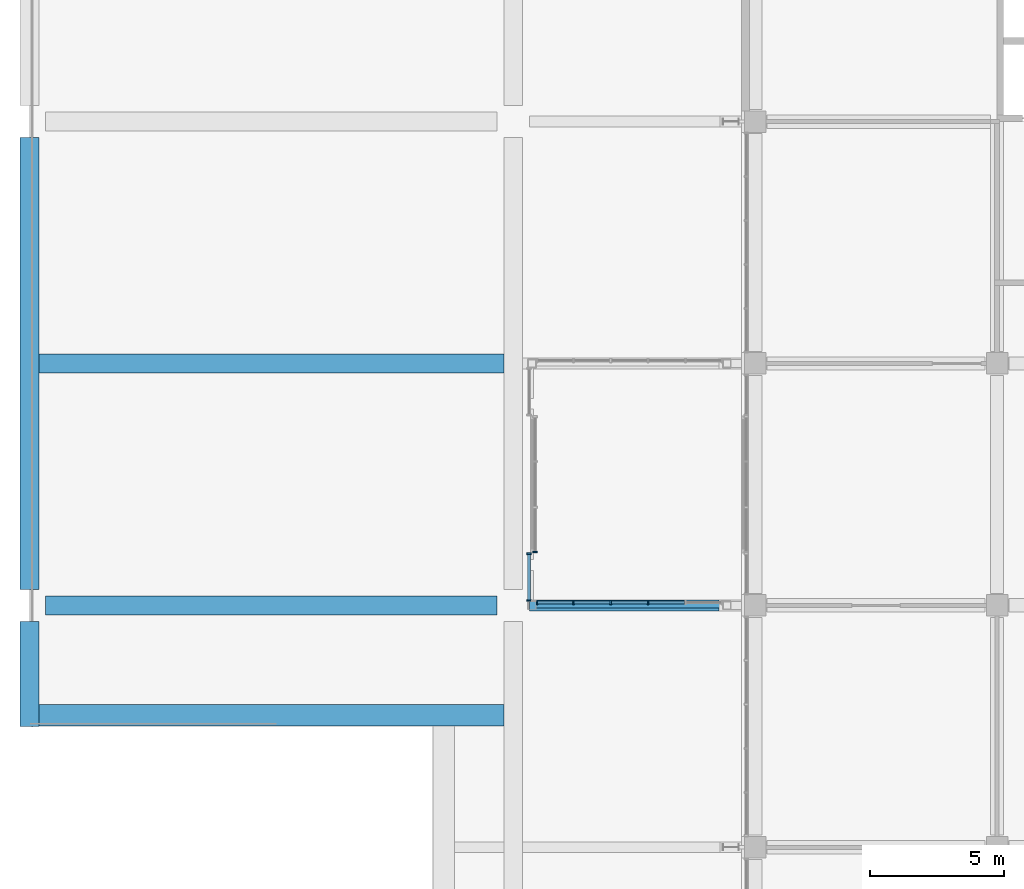
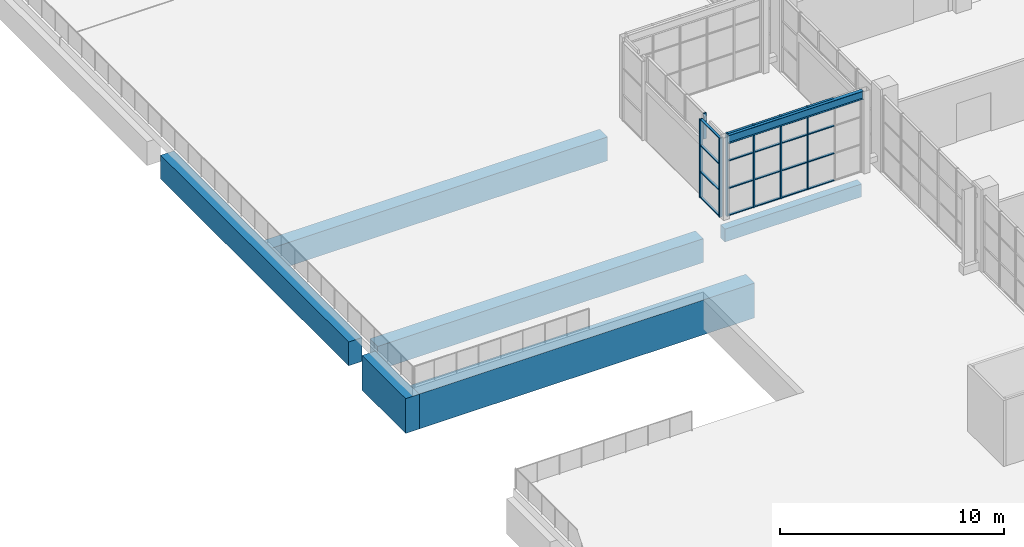
# One storey, part 23 of 168: 27 members, 7 beams, 3 elements without a shape of their own.
"""IFC4 building model written with IfcOpenShell, lengths in metres."""

from ifc_helpers import new_model, si_unit, direction, frame, origin, origin_2d, place, context, subcontext, project, spatial, rectangle, i_section, extrude, material, material_profile, profile_set, type_object, element, aggregate, save


model = new_model("IFC4")

# Units and contexts
model_context = context("Model", 3, precision=1e-05, world=origin(), true_north=direction((0.0, 1.0)))
body_context = subcontext(model_context, "Body", "Model", "MODEL_VIEW")
ifc_project = project(units=[si_unit("LENGTHUNIT", "METRE"), si_unit("AREAUNIT", "SQUARE_METRE"), si_unit("VOLUMEUNIT", "CUBIC_METRE"), si_unit("PLANEANGLEUNIT", "RADIAN"), si_unit("MASSUNIT", "GRAM", prefix="KILO")], contexts=[model_context])

# Site, building, storey
site_placement = place(None, origin())
site = spatial("IfcSite", under=ifc_project, at=site_placement, CompositionType="ELEMENT")
building_placement = place(site_placement, origin())
building = spatial("IfcBuilding", under=site, at=building_placement, Name="Silverbay Arena", CompositionType="ELEMENT")
storey_placement = place(building_placement, frame((0.0, 0.0, 7.0)))
storey = spatial("IfcBuildingStorey", under=building, at=storey_placement, Name="L01", CompositionType="ELEMENT", Elevation=7.0)

# Beam
ifc_material_1 = material(Name="Steel S355", Category="steel")
ifc_material_profile_1 = material_profile(ifc_material_1, i_section(OverallWidth=0.18994140625, OverallDepth=0.453369140625, WebThickness=0.008544921875, FlangeThickness=0.0126953125, at=origin_2d()), Name="UB 457x191x67")
ifc_profile_set_1 = profile_set([ifc_material_profile_1], Name="Steel S355")
beam_type_1 = type_object("IfcBeamType", Name="Hall beam UB 457x191x67", PredefinedType="BEAM", material=ifc_profile_set_1)
beam_1_placement = place(storey_placement, frame((25.800048828125, 54.0, 4.273193359375), z_axis=(-1.0, 0.0, 0.0), x_axis=(0.0, -1.0, 0.0)))
element("IfcBeam", 1, at=beam_1_placement, inside=storey, type_object=beam_type_1, Name="West entrance hall W0 transverse beam 1L11", PredefinedType="BEAM", context=body_context, shape_type="SweptSolid", body=[
    extrude(i_section(OverallWidth=0.18994140625, OverallDepth=0.453369140625, WebThickness=0.008544921875, FlangeThickness=0.0126953125, at=origin_2d()), origin(), (0.0, 0.0, 1.0), 6.949951171875),
])

# Curtain wall, members
ifc_material_2 = material(Name="Aluminium framed curtain wall", Category="aluminium")
curtain_wall_type_1 = type_object("IfcCurtainWallType", Name="Curtain wall 1800 x 4300", PredefinedType="NOTDEFINED", material=ifc_material_2)
curtain_wall_1_placement = place(storey_placement, origin())
curtain_wall_1 = element("IfcCurtainWall", 2, at=curtain_wall_1_placement, inside=storey, type_object=curtain_wall_type_1, Name="West entrance hall W0 glazing F0a", PredefinedType="NOTDEFINED")
ifc_material_3 = material(Name="Aluminium", Category="aluminium")
ifc_material_profile_2 = material_profile(ifc_material_3, rectangle(XDim=0.159912109375, YDim=0.06005859375, at=origin_2d()), Name="Mullion 60 x 160")
ifc_profile_set_2 = profile_set([ifc_material_profile_2], Name="Aluminium")
member_type_1 = type_object("IfcMemberType", Name="Mullion 60 x 160", PredefinedType="MULLION", material=ifc_profile_set_2)
member_1_placement = place(storey_placement, frame((18.590087890625, 54.179931640625, 0.0), z_axis=(0.0, 0.0, 1.0), x_axis=(-1.0, 0.0, 0.0)))
member_1 = element("IfcMember", 3, at=member_1_placement, type_object=member_type_1, Name="CW49 mullion 1", PredefinedType="MULLION", context=body_context, shape_type="SweptSolid", body=[
    extrude(rectangle(XDim=0.159912109375, YDim=0.06005859375, at=origin_2d()), origin(), (0.0, 0.0, 1.0), 4.300048828125),
])
member_2_placement = place(storey_placement, frame((18.590087890625, 55.919921875, 0.0), z_axis=(0.0, 0.0, 1.0), x_axis=(-1.0, 0.0, 0.0)))
member_2 = element("IfcMember", 4, at=member_2_placement, type_object=member_type_1, Name="CW49 mullion 2", PredefinedType="MULLION", context=body_context, shape_type="SweptSolid", body=[
    extrude(rectangle(XDim=0.159912109375, YDim=0.06005859375, at=origin_2d()), origin(), (0.0, 0.0, 1.0), 4.300048828125),
])

ifc_material_4 = material(Name="Aluminium framed curtain wall", Category="aluminium")
curtain_wall_type_2 = type_object("IfcCurtainWallType", Name="Curtain wall 6950 x 4500", PredefinedType="NOTDEFINED", material=ifc_material_4)
curtain_wall_2_placement = place(storey_placement, origin())
curtain_wall_2 = element("IfcCurtainWall", 5, at=curtain_wall_2_placement, inside=storey, type_object=curtain_wall_type_2, Name="West entrance hall W0 glazing SA", PredefinedType="NOTDEFINED")
member_3_placement = place(storey_placement, frame((18.8798828125, 54.110107421875, 0.0), z_axis=(0.0, 0.0, 1.0), x_axis=(0.0, 1.0, 0.0)))
member_3 = element("IfcMember", 6, at=member_3_placement, type_object=member_type_1, Name="CW51 mullion 1", PredefinedType="MULLION", context=body_context, shape_type="SweptSolid", body=[
    extrude(rectangle(XDim=0.159912109375, YDim=0.06005859375, at=origin_2d()), origin(), (0.0, 0.0, 1.0), 4.5),
])
member_4_placement = place(storey_placement, frame((20.239990234375, 54.110107421875, 0.0), z_axis=(0.0, 0.0, 1.0), x_axis=(0.0, 1.0, 0.0)))
member_4 = element("IfcMember", 7, at=member_4_placement, type_object=member_type_1, Name="CW51 mullion 2", PredefinedType="MULLION", context=body_context, shape_type="SweptSolid", body=[
    extrude(rectangle(XDim=0.159912109375, YDim=0.06005859375, at=origin_2d()), origin(), (0.0, 0.0, 1.0), 4.5),
])
member_5_placement = place(storey_placement, frame((21.6298828125, 54.110107421875, 0.0), z_axis=(0.0, 0.0, 1.0), x_axis=(0.0, 1.0, 0.0)))
member_5 = element("IfcMember", 8, at=member_5_placement, type_object=member_type_1, Name="CW51 mullion 3", PredefinedType="MULLION", context=body_context, shape_type="SweptSolid", body=[
    extrude(rectangle(XDim=0.159912109375, YDim=0.06005859375, at=origin_2d()), origin(), (0.0, 0.0, 1.0), 4.5),
])
member_6_placement = place(storey_placement, frame((23.02001953125, 54.110107421875, 0.0), z_axis=(0.0, 0.0, 1.0), x_axis=(0.0, 1.0, 0.0)))
member_6 = element("IfcMember", 9, at=member_6_placement, type_object=member_type_1, Name="CW51 mullion 4", PredefinedType="MULLION", context=body_context, shape_type="SweptSolid", body=[
    extrude(rectangle(XDim=0.159912109375, YDim=0.06005859375, at=origin_2d()), origin(), (0.0, 0.0, 1.0), 4.5),
])

# Curtain wall, member
ifc_material_5 = material(Name="Aluminium framed curtain wall", Category="aluminium")
curtain_wall_type_3 = type_object("IfcCurtainWallType", Name="Curtain wall 5100 x 1400", PredefinedType="NOTDEFINED", material=ifc_material_5)
curtain_wall_3_placement = place(storey_placement, origin())
curtain_wall_3 = element("IfcCurtainWall", 10, at=curtain_wall_3_placement, inside=storey, type_object=curtain_wall_type_3, Name="West entrance hall W0 glazing over the door", PredefinedType="NOTDEFINED")
member_7_placement = place(storey_placement, frame((18.81005859375, 55.97998046875, 3.10009765625), z_axis=(0.0, 0.0, 1.0), x_axis=(1.0, 0.0, 0.0)))
member_7 = element("IfcMember", 11, at=member_7_placement, type_object=member_type_1, Name="CW39 mullion 4", PredefinedType="MULLION", context=body_context, shape_type="SweptSolid", body=[
    extrude(rectangle(XDim=0.159912109375, YDim=0.06005859375, at=origin_2d()), origin(), (0.0, 0.0, 1.0), 1.39990234375),
])
aggregate(curtain_wall_3, [member_7])

# Beams
ifc_material_6 = material(Name="Concrete Grade C45", Category="concrete")
ifc_material_profile_3 = material_profile(ifc_material_6, rectangle(XDim=0.39990234375, YDim=0.699951171875, at=origin_2d()), Name="RC 400x700")
ifc_profile_set_3 = profile_set([ifc_material_profile_3], Name="Concrete Grade C45")
beam_type_2 = type_object("IfcBeamType", Name="RC beam 400x700", PredefinedType="BEAM", material=ifc_profile_set_3)
beam_2_placement = place(storey_placement, frame((18.60009765625, 54.0, -0.800048828125), z_axis=(1.0, 0.0, 0.0), x_axis=(0.0, 1.0, 0.0)))
element("IfcBeam", 12, at=beam_2_placement, inside=storey, type_object=beam_type_2, Name="Deck row beam 076", PredefinedType="BEAM", context=body_context, shape_type="SweptSolid", body=[
    extrude(rectangle(XDim=0.39990234375, YDim=0.699951171875, at=origin_2d()), origin(), (0.0, 0.0, 1.0), 7.0498046875),
])
ifc_material_7 = material(Name="Concrete Grade C45", Category="concrete")
ifc_material_profile_4 = material_profile(ifc_material_7, rectangle(XDim=0.699951171875, YDim=1.89990234375, at=origin_2d()), Name="RC 700x1900")
ifc_profile_set_4 = profile_set([ifc_material_profile_4], Name="Concrete Grade C45")
beam_type_3 = type_object("IfcBeamType", Name="RC deck edge girder 700x1900", PredefinedType="BEAM", material=ifc_profile_set_4)
beam_3_placement = place(storey_placement, frame((0.0, 49.5, -1.39990234375), z_axis=(0.0, 1.0, 0.0), x_axis=(-1.0, 0.0, 0.0)))
element("IfcBeam", 13, at=beam_3_placement, inside=storey, type_object=beam_type_3, Name="Deck girder 139", PredefinedType="BEAM", context=body_context, shape_type="SweptSolid", body=[
    extrude(rectangle(XDim=0.699951171875, YDim=1.89990234375, at=origin_2d()), origin(), (0.0, 0.0, 1.0), 3.89990234375),
])
ifc_material_8 = material(Name="Concrete Grade C45", Category="concrete")
ifc_material_profile_5 = material_profile(ifc_material_8, rectangle(XDim=0.699951171875, YDim=1.300048828125, at=origin_2d()), Name="RC 700x1300")
ifc_profile_set_5 = profile_set([ifc_material_profile_5], Name="Concrete Grade C45")
beam_type_4 = type_object("IfcBeamType", Name="RC girder 700x1300", PredefinedType="BEAM", material=ifc_profile_set_5)
beam_4_placement = place(storey_placement, frame((0.60009765625, 54.0, -1.10009765625), z_axis=(1.0, 0.0, 0.0), x_axis=(0.0, 1.0, 0.0)))
element("IfcBeam", 14, at=beam_4_placement, inside=storey, type_object=beam_type_4, Name="Deck row beam 075", PredefinedType="BEAM", context=body_context, shape_type="SweptSolid", body=[
    extrude(rectangle(XDim=0.699951171875, YDim=1.300048828125, at=origin_2d()), origin(), (0.0, 0.0, 1.0), 16.7998046875),
])
beam_5_placement = place(storey_placement, frame((0.35009765625, 63.0, -1.10009765625), z_axis=(1.0, 0.0, 0.0), x_axis=(0.0, 1.0, 0.0)))
element("IfcBeam", 15, at=beam_5_placement, inside=storey, type_object=beam_type_4, Name="Deck row beam 077", PredefinedType="BEAM", context=body_context, shape_type="SweptSolid", body=[
    extrude(rectangle(XDim=0.699951171875, YDim=1.300048828125, at=origin_2d()), origin(), (0.0, 0.0, 1.0), 17.2998046875),
])
beam_6_placement = place(storey_placement, frame((0.0, 54.60009765625, -1.10009765625), z_axis=(0.0, 1.0, 0.0), x_axis=(-1.0, 0.0, 0.0)))
element("IfcBeam", 16, at=beam_6_placement, inside=storey, type_object=beam_type_4, Name="Deck girder 139", PredefinedType="BEAM", context=body_context, shape_type="SweptSolid", body=[
    extrude(rectangle(XDim=0.699951171875, YDim=1.300048828125, at=origin_2d()), origin(), (0.0, 0.0, 1.0), 16.7998046875),
])
ifc_material_9 = material(Name="Concrete Grade C45", Category="concrete")
ifc_material_profile_6 = material_profile(ifc_material_9, rectangle(XDim=0.800048828125, YDim=1.89990234375, at=origin_2d()), Name="RC 800x1900")
ifc_profile_set_6 = profile_set([ifc_material_profile_6], Name="Concrete Grade C45")
beam_type_5 = type_object("IfcBeamType", Name="RC trimmer girder 800x1900", PredefinedType="BEAM", material=ifc_profile_set_6)
beam_7_placement = place(storey_placement, frame((0.35009765625, 49.909912109375, -1.39990234375), z_axis=(1.0, 0.0, 0.0), x_axis=(0.0, 1.0, 0.0)))
element("IfcBeam", 17, at=beam_7_placement, inside=storey, type_object=beam_type_5, Name="Deck trimmer 048", PredefinedType="BEAM", context=body_context, shape_type="SweptSolid", body=[
    extrude(rectangle(XDim=0.800048828125, YDim=1.89990234375, at=origin_2d()), origin(), (0.0, 0.0, 1.0), 17.2998046875),
])

# Member
ifc_material_10 = material(Name="Aluminium", Category="aluminium")
ifc_material_profile_7 = material_profile(ifc_material_10, rectangle(XDim=0.1201171875, YDim=0.050048828125, at=origin_2d()), Name="Transom 50 x 120")
ifc_profile_set_7 = profile_set([ifc_material_profile_7], Name="Aluminium")
member_type_2 = type_object("IfcMemberType", Name="Transom 50 x 120", PredefinedType="USERDEFINED", material=ifc_profile_set_7)
member_8_placement = place(storey_placement, frame((18.590087890625, 54.2099609375, 0.02490234375), z_axis=(0.0, 1.0, 0.0), x_axis=(-1.0, 0.0, 0.0)))
member_8 = element("IfcMember", 18, at=member_8_placement, type_object=member_type_2, Name="CW49 transom 1.1", ObjectType="TRANSOM", PredefinedType="USERDEFINED", context=body_context, shape_type="SweptSolid", body=[
    extrude(rectangle(XDim=0.1201171875, YDim=0.050048828125, at=origin_2d()), origin(), (0.0, 0.0, 1.0), 1.679931640625),
])

member_9_placement = place(storey_placement, frame((18.590087890625, 54.2099609375, 1.433349609375), z_axis=(0.0, 1.0, 0.0), x_axis=(-1.0, 0.0, 0.0)))
member_9 = element("IfcMember", 19, at=member_9_placement, type_object=member_type_2, Name="CW49 transom 1.2", ObjectType="TRANSOM", PredefinedType="USERDEFINED", context=body_context, shape_type="SweptSolid", body=[
    extrude(rectangle(XDim=0.1201171875, YDim=0.050048828125, at=origin_2d()), origin(), (0.0, 0.0, 1.0), 1.679931640625),
])

member_10_placement = place(storey_placement, frame((18.590087890625, 54.2099609375, 2.86669921875), z_axis=(0.0, 1.0, 0.0), x_axis=(-1.0, 0.0, 0.0)))
member_10 = element("IfcMember", 20, at=member_10_placement, type_object=member_type_2, Name="CW49 transom 1.3", ObjectType="TRANSOM", PredefinedType="USERDEFINED", context=body_context, shape_type="SweptSolid", body=[
    extrude(rectangle(XDim=0.1201171875, YDim=0.050048828125, at=origin_2d()), origin(), (0.0, 0.0, 1.0), 1.679931640625),
])

member_11_placement = place(storey_placement, frame((18.590087890625, 54.2099609375, 4.27490234375), z_axis=(0.0, 1.0, 0.0), x_axis=(-1.0, 0.0, 0.0)))
member_11 = element("IfcMember", 21, at=member_11_placement, type_object=member_type_2, Name="CW49 transom 1.4", ObjectType="TRANSOM", PredefinedType="USERDEFINED", context=body_context, shape_type="SweptSolid", body=[
    extrude(rectangle(XDim=0.1201171875, YDim=0.050048828125, at=origin_2d()), origin(), (0.0, 0.0, 1.0), 1.679931640625),
])

aggregate(curtain_wall_1, [member_1, member_2, member_8, member_9, member_10, member_11])

member_12_placement = place(storey_placement, frame((18.909912109375, 54.110107421875, 0.02490234375), z_axis=(1.0, 0.0, 0.0), x_axis=(0.0, 1.0, 0.0)))
member_12 = element("IfcMember", 22, at=member_12_placement, type_object=member_type_2, Name="CW51 transom 1.1", ObjectType="TRANSOM", PredefinedType="USERDEFINED", context=body_context, shape_type="SweptSolid", body=[
    extrude(rectangle(XDim=0.1201171875, YDim=0.050048828125, at=origin_2d()), origin(), (0.0, 0.0, 1.0), 1.300048828125),
])

member_13_placement = place(storey_placement, frame((18.909912109375, 54.110107421875, 1.5), z_axis=(1.0, 0.0, 0.0), x_axis=(0.0, 1.0, 0.0)))
member_13 = element("IfcMember", 23, at=member_13_placement, type_object=member_type_2, Name="CW51 transom 1.2", ObjectType="TRANSOM", PredefinedType="USERDEFINED", context=body_context, shape_type="SweptSolid", body=[
    extrude(rectangle(XDim=0.1201171875, YDim=0.050048828125, at=origin_2d()), origin(), (0.0, 0.0, 1.0), 1.300048828125),
])

member_14_placement = place(storey_placement, frame((18.909912109375, 54.110107421875, 3.0), z_axis=(1.0, 0.0, 0.0), x_axis=(0.0, 1.0, 0.0)))
member_14 = element("IfcMember", 24, at=member_14_placement, type_object=member_type_2, Name="CW51 transom 1.3", ObjectType="TRANSOM", PredefinedType="USERDEFINED", context=body_context, shape_type="SweptSolid", body=[
    extrude(rectangle(XDim=0.1201171875, YDim=0.050048828125, at=origin_2d()), origin(), (0.0, 0.0, 1.0), 1.300048828125),
])

member_15_placement = place(storey_placement, frame((18.909912109375, 54.110107421875, 4.47509765625), z_axis=(1.0, 0.0, 0.0), x_axis=(0.0, 1.0, 0.0)))
member_15 = element("IfcMember", 25, at=member_15_placement, type_object=member_type_2, Name="CW51 transom 1.4", ObjectType="TRANSOM", PredefinedType="USERDEFINED", context=body_context, shape_type="SweptSolid", body=[
    extrude(rectangle(XDim=0.1201171875, YDim=0.050048828125, at=origin_2d()), origin(), (0.0, 0.0, 1.0), 1.300048828125),
])

member_16_placement = place(storey_placement, frame((20.27001953125, 54.110107421875, 0.02490234375), z_axis=(1.0, 0.0, 0.0), x_axis=(0.0, 1.0, 0.0)))
member_16 = element("IfcMember", 26, at=member_16_placement, type_object=member_type_2, Name="CW51 transom 2.1", ObjectType="TRANSOM", PredefinedType="USERDEFINED", context=body_context, shape_type="SweptSolid", body=[
    extrude(rectangle(XDim=0.1201171875, YDim=0.050048828125, at=origin_2d()), origin(), (0.0, 0.0, 1.0), 1.330078125),
])

member_17_placement = place(storey_placement, frame((20.27001953125, 54.110107421875, 1.5), z_axis=(1.0, 0.0, 0.0), x_axis=(0.0, 1.0, 0.0)))
member_17 = element("IfcMember", 27, at=member_17_placement, type_object=member_type_2, Name="CW51 transom 2.2", ObjectType="TRANSOM", PredefinedType="USERDEFINED", context=body_context, shape_type="SweptSolid", body=[
    extrude(rectangle(XDim=0.1201171875, YDim=0.050048828125, at=origin_2d()), origin(), (0.0, 0.0, 1.0), 1.330078125),
])

member_18_placement = place(storey_placement, frame((20.27001953125, 54.110107421875, 3.0), z_axis=(1.0, 0.0, 0.0), x_axis=(0.0, 1.0, 0.0)))
member_18 = element("IfcMember", 28, at=member_18_placement, type_object=member_type_2, Name="CW51 transom 2.3", ObjectType="TRANSOM", PredefinedType="USERDEFINED", context=body_context, shape_type="SweptSolid", body=[
    extrude(rectangle(XDim=0.1201171875, YDim=0.050048828125, at=origin_2d()), origin(), (0.0, 0.0, 1.0), 1.330078125),
])

member_19_placement = place(storey_placement, frame((20.27001953125, 54.110107421875, 4.47509765625), z_axis=(1.0, 0.0, 0.0), x_axis=(0.0, 1.0, 0.0)))
member_19 = element("IfcMember", 29, at=member_19_placement, type_object=member_type_2, Name="CW51 transom 2.4", ObjectType="TRANSOM", PredefinedType="USERDEFINED", context=body_context, shape_type="SweptSolid", body=[
    extrude(rectangle(XDim=0.1201171875, YDim=0.050048828125, at=origin_2d()), origin(), (0.0, 0.0, 1.0), 1.330078125),
])

member_20_placement = place(storey_placement, frame((21.659912109375, 54.110107421875, 0.02490234375), z_axis=(1.0, 0.0, 0.0), x_axis=(0.0, 1.0, 0.0)))
member_20 = element("IfcMember", 30, at=member_20_placement, type_object=member_type_2, Name="CW51 transom 3.1", ObjectType="TRANSOM", PredefinedType="USERDEFINED", context=body_context, shape_type="SweptSolid", body=[
    extrude(rectangle(XDim=0.1201171875, YDim=0.050048828125, at=origin_2d()), origin(), (0.0, 0.0, 1.0), 1.330078125),
])

member_21_placement = place(storey_placement, frame((21.659912109375, 54.110107421875, 1.5), z_axis=(1.0, 0.0, 0.0), x_axis=(0.0, 1.0, 0.0)))
member_21 = element("IfcMember", 31, at=member_21_placement, type_object=member_type_2, Name="CW51 transom 3.2", ObjectType="TRANSOM", PredefinedType="USERDEFINED", context=body_context, shape_type="SweptSolid", body=[
    extrude(rectangle(XDim=0.1201171875, YDim=0.050048828125, at=origin_2d()), origin(), (0.0, 0.0, 1.0), 1.330078125),
])

member_22_placement = place(storey_placement, frame((21.659912109375, 54.110107421875, 3.0), z_axis=(1.0, 0.0, 0.0), x_axis=(0.0, 1.0, 0.0)))
member_22 = element("IfcMember", 32, at=member_22_placement, type_object=member_type_2, Name="CW51 transom 3.3", ObjectType="TRANSOM", PredefinedType="USERDEFINED", context=body_context, shape_type="SweptSolid", body=[
    extrude(rectangle(XDim=0.1201171875, YDim=0.050048828125, at=origin_2d()), origin(), (0.0, 0.0, 1.0), 1.330078125),
])

member_23_placement = place(storey_placement, frame((21.659912109375, 54.110107421875, 4.47509765625), z_axis=(1.0, 0.0, 0.0), x_axis=(0.0, 1.0, 0.0)))
member_23 = element("IfcMember", 33, at=member_23_placement, type_object=member_type_2, Name="CW51 transom 3.4", ObjectType="TRANSOM", PredefinedType="USERDEFINED", context=body_context, shape_type="SweptSolid", body=[
    extrude(rectangle(XDim=0.1201171875, YDim=0.050048828125, at=origin_2d()), origin(), (0.0, 0.0, 1.0), 1.330078125),
])

member_24_placement = place(storey_placement, frame((23.050048828125, 54.110107421875, 0.02490234375), z_axis=(1.0, 0.0, 0.0), x_axis=(0.0, 1.0, 0.0)))
member_24 = element("IfcMember", 34, at=member_24_placement, type_object=member_type_2, Name="CW51 transom 4.1", ObjectType="TRANSOM", PredefinedType="USERDEFINED", context=body_context, shape_type="SweptSolid", body=[
    extrude(rectangle(XDim=0.1201171875, YDim=0.050048828125, at=origin_2d()), origin(), (0.0, 0.0, 1.0), 1.329833984375),
])

member_25_placement = place(storey_placement, frame((23.050048828125, 54.110107421875, 1.5), z_axis=(1.0, 0.0, 0.0), x_axis=(0.0, 1.0, 0.0)))
member_25 = element("IfcMember", 35, at=member_25_placement, type_object=member_type_2, Name="CW51 transom 4.2", ObjectType="TRANSOM", PredefinedType="USERDEFINED", context=body_context, shape_type="SweptSolid", body=[
    extrude(rectangle(XDim=0.1201171875, YDim=0.050048828125, at=origin_2d()), origin(), (0.0, 0.0, 1.0), 1.329833984375),
])

member_26_placement = place(storey_placement, frame((23.050048828125, 54.110107421875, 3.0), z_axis=(1.0, 0.0, 0.0), x_axis=(0.0, 1.0, 0.0)))
member_26 = element("IfcMember", 36, at=member_26_placement, type_object=member_type_2, Name="CW51 transom 4.3", ObjectType="TRANSOM", PredefinedType="USERDEFINED", context=body_context, shape_type="SweptSolid", body=[
    extrude(rectangle(XDim=0.1201171875, YDim=0.050048828125, at=origin_2d()), origin(), (0.0, 0.0, 1.0), 1.329833984375),
])

member_27_placement = place(storey_placement, frame((23.050048828125, 54.110107421875, 4.47509765625), z_axis=(1.0, 0.0, 0.0), x_axis=(0.0, 1.0, 0.0)))
member_27 = element("IfcMember", 37, at=member_27_placement, type_object=member_type_2, Name="CW51 transom 4.4", ObjectType="TRANSOM", PredefinedType="USERDEFINED", context=body_context, shape_type="SweptSolid", body=[
    extrude(rectangle(XDim=0.1201171875, YDim=0.050048828125, at=origin_2d()), origin(), (0.0, 0.0, 1.0), 1.329833984375),
])

aggregate(curtain_wall_2, [member_3, member_4, member_5, member_6, member_12, member_13, member_14, member_15, member_16, member_17, member_18, member_19, member_20, member_21, member_22, member_23, member_24, member_25, member_26, member_27])

save(model, "model.ifc")
